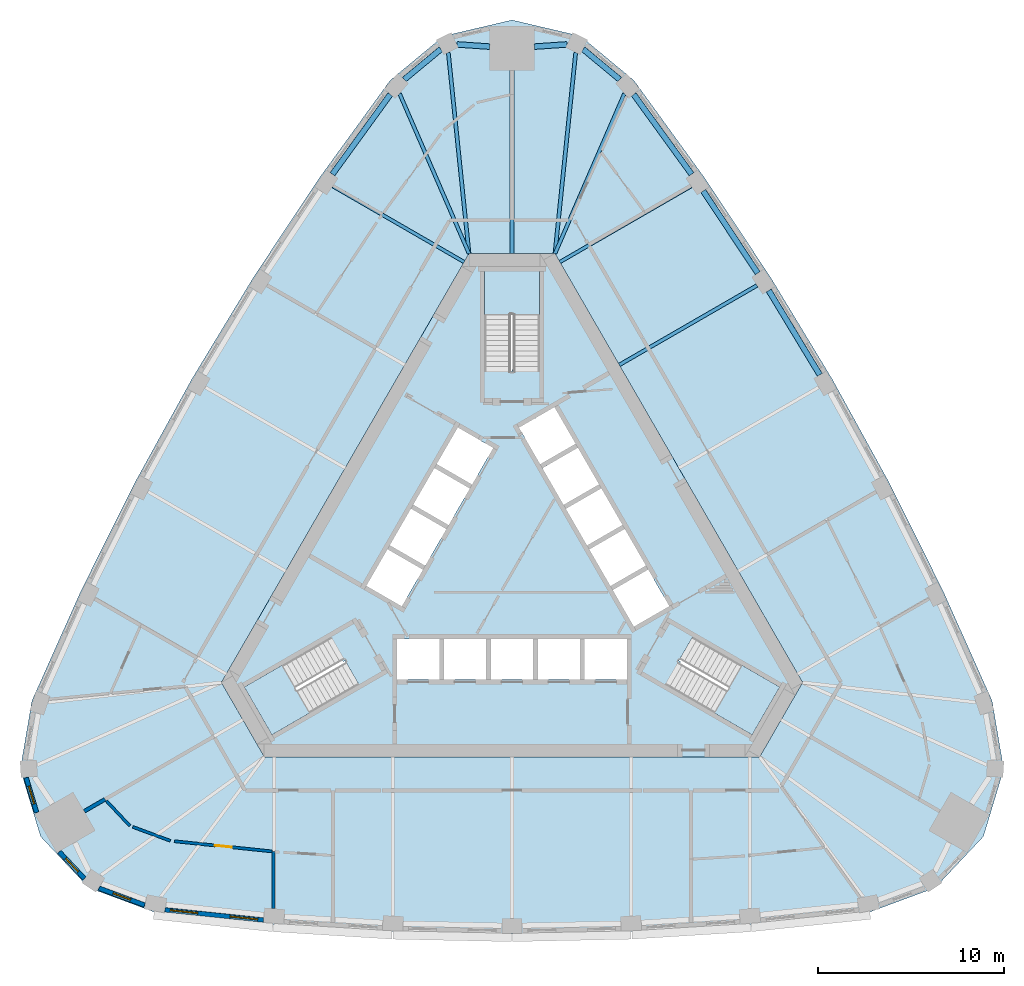
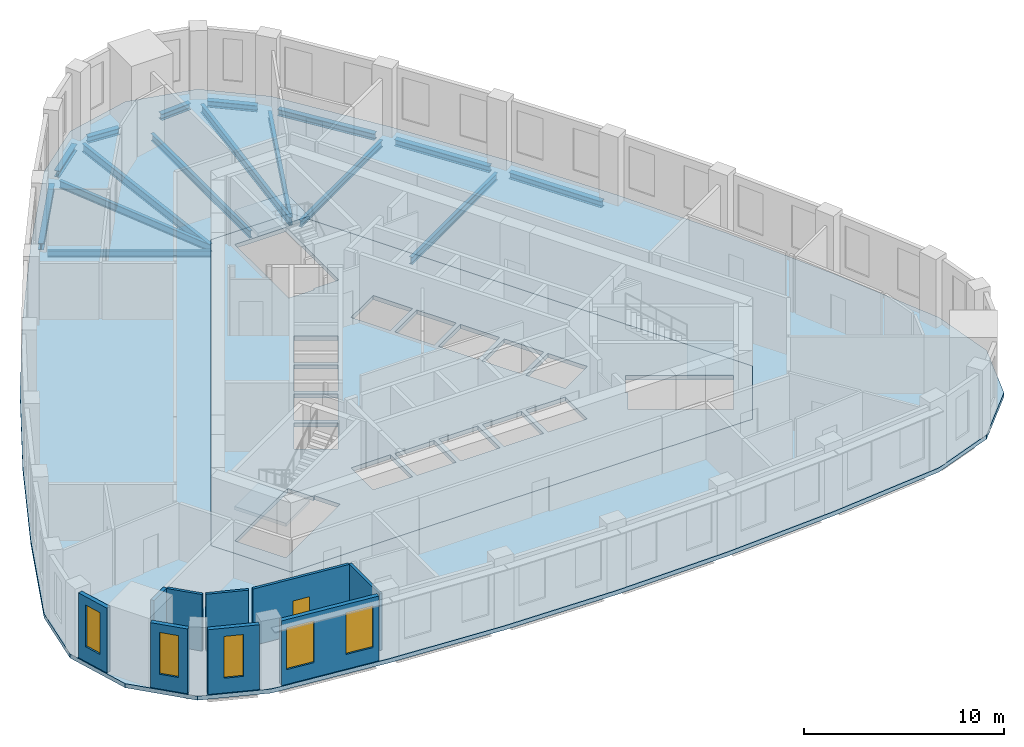
# One storey, part 2 of 10: 16 beams, 9 walls, 5 slabs, 5 windows, 1 door, 6 openings, 3 elements without a shape of their own.
"""IFC4 building model written with IfcOpenShell, lengths in metres."""

from ifc_helpers import new_model, si_unit, direction, frame, frame_2d, origin, origin_2d, place, context, subcontext, project, spatial, polyline, rectangle, i_section, outline, extrude, material, layer, layer_set, material_profile, profile_set, type_object, element, fill, aggregate, save


model = new_model("IFC4")

# Units and contexts
model_context = context("Model", 3, precision=1e-05, world=origin(), true_north=direction((0.0, 1.0)))
body_context = subcontext(model_context, "Body", "Model", "MODEL_VIEW")
ifc_project = project(units=[si_unit("LENGTHUNIT", "METRE"), si_unit("AREAUNIT", "SQUARE_METRE"), si_unit("VOLUMEUNIT", "CUBIC_METRE"), si_unit("PLANEANGLEUNIT", "RADIAN"), si_unit("MASSUNIT", "GRAM", prefix="KILO")], contexts=[model_context])

# Site, building, storey
site_placement = place(None, origin())
site = spatial("IfcSite", under=ifc_project, at=site_placement, CompositionType="ELEMENT")
building_placement = place(site_placement, origin())
building = spatial("IfcBuilding", under=site, at=building_placement, Name="Mestral Congress Tower", CompositionType="ELEMENT")
storey_placement = place(building_placement, frame((0.0, 0.0, 243.60009765625)))
storey = spatial("IfcBuildingStorey", under=building, at=storey_placement, Name="L57", CompositionType="ELEMENT", Elevation=243.60009765625)

# Beams
ifc_material_1 = material(Name="Steel S355", Category="steel")
ifc_material_profile_1 = material_profile(ifc_material_1, i_section(OverallWidth=0.179931640625, OverallDepth=0.39990234375, WebThickness=0.008544921875, FlangeThickness=0.013427734375, FilletRadius=0.02099609375, at=origin_2d()), Name="IPE 400")
ifc_profile_set_1 = profile_set([ifc_material_profile_1], Name="Steel S355")
beam_type_1 = type_object("IfcBeamType", Name="Floor beam IPE 400 S355", PredefinedType="BEAM", material=ifc_profile_set_1)
for number, where, z_axis, x_axis, name in (
    (1, (9.627197265625, 20.321533203125, -0.4501953125), (-0.86601443812, -0.500018992608, 0.0), (0.500018992608, -0.86601443812, 0.0), "BM-L57-RB4-E05"),
    (2, (-9.627197265625, 20.321533203125, -0.4501953125), (0.86601443812, -0.500018992608, 0.0), (0.500018992608, 0.86601443812, 0.0), "BM-L57-RB4-W01"),
):
    element("IfcBeam", number, at=place(storey_placement, frame(where, z_axis=z_axis, x_axis=x_axis)), inside=storey, type_object=beam_type_1, Name=name, PredefinedType="BEAM", context=body_context, shape_type="SweptSolid", body=[
        extrude(i_section(OverallWidth=0.179931640625, OverallDepth=0.39990234375, WebThickness=0.008544921875, FlangeThickness=0.013427734375, FilletRadius=0.02099609375, at=origin_2d()), origin(), (0.0, 0.0, 1.0), 8.148193359375),
    ])
ifc_material_profile_2 = material_profile(ifc_material_1, i_section(OverallWidth=0.18994140625, OverallDepth=0.449951171875, WebThickness=0.009521484375, FlangeThickness=0.0146484375, FilletRadius=0.02099609375, at=origin_2d()), Name="IPE 450")
ifc_profile_set_2 = profile_set([ifc_material_profile_2], Name="Steel S355")
beam_type_2 = type_object("IfcBeamType", Name="Floor beam IPE 450 S355", PredefinedType="BEAM", material=ifc_profile_set_2)
beam_1_placement = place(storey_placement, frame((13.16650390625, 14.98974609375, -0.47509765625), z_axis=(-0.866028621479, -0.499994426748, 0.0), x_axis=(0.499994426748, -0.866028621479, 0.0)))
element("IfcBeam", 3, at=beam_1_placement, inside=storey, type_object=beam_type_2, Name="BM-L57-RB4-E04", PredefinedType="BEAM", context=body_context, shape_type="SweptSolid", body=[
    extrude(i_section(OverallWidth=0.18994140625, OverallDepth=0.449951171875, WebThickness=0.009521484375, FlangeThickness=0.0146484375, FilletRadius=0.02099609375, at=origin_2d()), origin(), (0.0, 0.0, 1.0), 8.54736328125),
])
beam_2_placement = place(storey_placement, frame((6.0419921875, 25.296875, -0.47509765625), z_axis=(-0.398265997009, -0.91726996878, 0.0), x_axis=(0.91726996878, -0.398265997009, 0.0)))
element("IfcBeam", 4, at=beam_2_placement, inside=storey, type_object=beam_type_2, Name="BM-L57-RB4-E06", PredefinedType="BEAM", context=body_context, shape_type="SweptSolid", body=[
    extrude(i_section(OverallWidth=0.18994140625, OverallDepth=0.449951171875, WebThickness=0.009521484375, FlangeThickness=0.0146484375, FilletRadius=0.02099609375, at=origin_2d()), origin(), (0.0, 0.0, 1.0), 9.372314453125),
])
beam_3_placement = place(storey_placement, frame((0.0, 26.54443359375, -0.47509765625), z_axis=(0.0, -1.0, 0.0), x_axis=(1.0, 0.0, 0.0)))
element("IfcBeam", 5, at=beam_3_placement, inside=storey, type_object=beam_type_2, Name="BM-L57-RB4-N", PredefinedType="BEAM", context=body_context, shape_type="SweptSolid", body=[
    extrude(i_section(OverallWidth=0.18994140625, OverallDepth=0.449951171875, WebThickness=0.009521484375, FlangeThickness=0.0146484375, FilletRadius=0.02099609375, at=origin_2d()), origin(), (0.0, 0.0, 1.0), 9.844482421875),
])
beam_4_placement = place(storey_placement, frame((-6.0419921875, 25.296875, -0.47509765625), z_axis=(0.398265997009, -0.91726996878, 0.0), x_axis=(0.91726996878, 0.398265997009, 0.0)))
element("IfcBeam", 6, at=beam_4_placement, inside=storey, type_object=beam_type_2, Name="BM-L57-RB4-W00", PredefinedType="BEAM", context=body_context, shape_type="SweptSolid", body=[
    extrude(i_section(OverallWidth=0.18994140625, OverallDepth=0.449951171875, WebThickness=0.009521484375, FlangeThickness=0.0146484375, FilletRadius=0.02099609375, at=origin_2d()), origin(), (0.0, 0.0, 1.0), 9.372314453125),
])
ifc_material_profile_3 = material_profile(ifc_material_1, i_section(OverallWidth=0.199951171875, OverallDepth=0.5, WebThickness=0.01025390625, FlangeThickness=0.01611328125, FilletRadius=0.02099609375, at=origin_2d()), Name="IPE 500")
ifc_profile_set_3 = profile_set([ifc_material_profile_3], Name="Steel S355")
beam_type_3 = type_object("IfcBeamType", Name="Floor beam IPE 500 S355", PredefinedType="BEAM", material=ifc_profile_set_3)
for number, where, z_axis, x_axis, name in (
    (7, (3.4228515625, 27.5009765625, -0.5), (-0.102550876252, -0.994727760636, 0.0), (0.994727760636, -0.102550876252, 0.0), "BM-L57-RB4-N1"),
    (8, (-3.4228515625, 27.5009765625, -0.5), (0.102550876252, -0.994727760636, 0.0), (0.994727760636, 0.102550876252, 0.0), "BM-L57-RB4-N3"),
):
    element("IfcBeam", number, at=place(storey_placement, frame(where, z_axis=z_axis, x_axis=x_axis)), inside=storey, type_object=beam_type_3, Name=name, PredefinedType="BEAM", context=body_context, shape_type="SweptSolid", body=[
        extrude(i_section(OverallWidth=0.199951171875, OverallDepth=0.5, WebThickness=0.01025390625, FlangeThickness=0.01611328125, FilletRadius=0.02099609375, at=origin_2d()), origin(), (0.0, 0.0, 1.0), 10.858154296875),
    ])
ifc_material_profile_4 = material_profile(ifc_material_1, i_section(OverallWidth=0.300048828125, OverallDepth=0.389892578125, WebThickness=0.010986328125, FlangeThickness=0.01904296875, FilletRadius=0.027099609375, at=origin_2d()), Name="HEA 400")
ifc_profile_set_4 = profile_set([ifc_material_profile_4], Name="Steel S355")
beam_type_4 = type_object("IfcBeamType", Name="Spandrel beam HEA 400 S355", PredefinedType="BEAM", material=ifc_profile_set_4)
for number, where, z_axis, x_axis, name in (
    (9, (16.54248046875, 10.185791015625, -0.445068359375), (-0.517865676042, 0.855461946306, 0.0), (-0.855461946306, -0.517865676042, 0.0), "SP-L57-SB4-E03"),
    (10, (13.209228515625, 15.648193359375, -0.445068359375), (-0.552934106774, 0.833224983762, 0.0), (-0.833224983762, -0.552934106774, 0.0), "SP-L57-SB4-E04"),
):
    element("IfcBeam", number, at=place(storey_placement, frame(where, z_axis=z_axis, x_axis=x_axis)), inside=storey, type_object=beam_type_4, Name=name, PredefinedType="BEAM", context=body_context, shape_type="SweptSolid", body=[
        extrude(i_section(OverallWidth=0.300048828125, OverallDepth=0.389892578125, WebThickness=0.010986328125, FlangeThickness=0.01904296875, FilletRadius=0.027099609375, at=origin_2d()), origin(), (0.0, 0.0, 1.0), 5.29931640625),
    ])
beam_5_placement = place(storey_placement, frame((9.652099609375, 20.967529296875, -0.445068359375), z_axis=(-0.587017415163, 0.809574304369, 0.0), x_axis=(-0.809574304369, -0.587017415163, 0.0)))
element("IfcBeam", 11, at=beam_5_placement, inside=storey, type_object=beam_type_4, Name="SP-L57-SB4-E05", PredefinedType="BEAM", context=body_context, shape_type="SweptSolid", body=[
    extrude(i_section(OverallWidth=0.300048828125, OverallDepth=0.389892578125, WebThickness=0.010986328125, FlangeThickness=0.01904296875, FilletRadius=0.027099609375, at=origin_2d()), origin(), (0.0, 0.0, 1.0), 5.29736328125),
])
beam_6_placement = place(storey_placement, frame((5.789306640625, 26.058837890625, -0.445068359375), z_axis=(-0.769970431757, 0.638079567311, 0.0), x_axis=(-0.638079567311, -0.769970431757, 0.0)))
element("IfcBeam", 12, at=beam_6_placement, inside=storey, type_object=beam_type_4, Name="SP-L57-SB4-E06", PredefinedType="BEAM", context=body_context, shape_type="SweptSolid", body=[
    extrude(i_section(OverallWidth=0.300048828125, OverallDepth=0.389892578125, WebThickness=0.010986328125, FlangeThickness=0.01904296875, FilletRadius=0.027099609375, at=origin_2d()), origin(), (0.0, 0.0, 1.0), 2.547119140625),
])
for number, where, z_axis, x_axis, name in (
    (13, (2.9521484375, 27.94384765625, -0.445068359375), (-0.997724466462, -0.067423208337, 0.0), (0.067423208337, -0.997724466462, 0.0), "SP-L57-SB4-N1"),
    (14, (-1.199951171875, 27.825439453125, -0.445068359375), (-0.997724466462, 0.067423208337, 0.0), (-0.067423208337, -0.997724466462, 0.0), "SP-L57-SB4-N"),
):
    element("IfcBeam", number, at=place(storey_placement, frame(where, z_axis=z_axis, x_axis=x_axis)), inside=storey, type_object=beam_type_4, Name=name, PredefinedType="BEAM", context=body_context, shape_type="SweptSolid", body=[
        extrude(i_section(OverallWidth=0.300048828125, OverallDepth=0.389892578125, WebThickness=0.010986328125, FlangeThickness=0.01904296875, FilletRadius=0.027099609375, at=origin_2d()), origin(), (0.0, 0.0, 1.0), 1.756103515625),
    ])
beam_7_placement = place(storey_placement, frame((-3.828125, 27.68408203125, -0.445068359375), z_axis=(-0.769970431757, -0.638079567311, 0.0), x_axis=(0.638079567311, -0.769970431757, 0.0)))
element("IfcBeam", 15, at=beam_7_placement, inside=storey, type_object=beam_type_4, Name="SP-L57-SB4-N3", PredefinedType="BEAM", context=body_context, shape_type="SweptSolid", body=[
    extrude(i_section(OverallWidth=0.300048828125, OverallDepth=0.389892578125, WebThickness=0.010986328125, FlangeThickness=0.01904296875, FilletRadius=0.027099609375, at=origin_2d()), origin(), (0.0, 0.0, 1.0), 2.547119140625),
])
beam_8_placement = place(storey_placement, frame((-6.54248046875, 25.256103515625, -0.445068359375), z_axis=(-0.587017415163, -0.809574304369, 0.0), x_axis=(0.809574304369, -0.587017415163, 0.0)))
element("IfcBeam", 16, at=beam_8_placement, inside=storey, type_object=beam_type_4, Name="SP-L57-SB4-W00", PredefinedType="BEAM", context=body_context, shape_type="SweptSolid", body=[
    extrude(i_section(OverallWidth=0.300048828125, OverallDepth=0.389892578125, WebThickness=0.010986328125, FlangeThickness=0.01904296875, FilletRadius=0.027099609375, at=origin_2d()), origin(), (0.0, 0.0, 1.0), 5.29736328125),
])

# Slabs
ifc_material_2 = material(Name="Concrete C35/45", Category="concrete")
ifc_layer_1 = layer(ifc_material_2, 0.25)
ifc_layer_set_1 = layer_set([ifc_layer_1], Name="Concrete C35/45")
slab_type_1 = type_object("IfcSlabType", Name="Composite floor slab 250", PredefinedType="FLOOR", material=ifc_layer_set_1)
placement_1 = place(storey_placement, frame((0.0, 0.0, -0.25)))
element("IfcSlab", 17, at=placement_1, inside=storey, type_object=slab_type_1, Name="SL-L57", PredefinedType="FLOOR", context=body_context, shape_type="SweptSolid", body=[
    extrude(outline(polyline([(-19.253662109375, -18.678466796875), (-22.75, -17.381591796875), (-25.3369140625, -14.62841796875), (-26.427978515625, -11.01123046875), (-25.802978515625, -7.334716796875), (-23.16748046875, -1.4306640625), (-20.310302734375, 4.316650390625), (-17.21728515625, 9.9404296875), (-13.8935546875, 15.430908203125), (-10.3447265625, 20.77880859375), (-6.54931640625, 26.013427734375), (-3.677978515625, 28.392822265625), (0.0, 29.256591796875), (3.677978515625, 28.392822265625), (6.54931640625, 26.013427734375), (10.3447265625, 20.77880859375), (13.8935546875, 15.430908203125), (17.21728515625, 9.9404296875), (20.310302734375, 4.316650390625), (23.16748046875, -1.4306640625), (25.802978515625, -7.334716796875), (26.427978515625, -11.01123046875), (25.3369140625, -14.62841796875), (22.75, -17.381591796875), (19.253662109375, -18.678466796875), (12.822509765625, -19.34814453125), (6.416748046875, -19.74755859375), (0.0, -19.880615234375), (-6.416748046875, -19.74755859375), (-12.822509765625, -19.34814453125), (-19.253662109375, -18.678466796875)]), holes=[polyline([(-2.309326171875, 16.699951171875), (-15.6171875, -6.35009765625), (-13.307861328125, -10.35009765625), (13.307861328125, -10.35009765625), (15.6171875, -6.35009765625), (2.309326171875, 16.699951171875), (-2.309326171875, 16.699951171875)])]), origin(), (0.0, 0.0, 1.0), 0.25),
])
ifc_material_3 = material(Name="Concrete C60/75", Category="concrete")
ifc_layer_2 = layer(ifc_material_3, 0.25)
ifc_layer_set_2 = layer_set([ifc_layer_2], Name="Concrete C60/75")
slab_type_2 = type_object("IfcSlabType", Name="Core floor slab RC 250", PredefinedType="FLOOR", material=ifc_layer_set_2)
element("IfcSlab", 18, at=placement_1, inside=storey, type_object=slab_type_2, Name="L57 core floor", PredefinedType="FLOOR", context=body_context, shape_type="SweptSolid", body=[
    extrude(outline(polyline([(13.307861328125, -10.35009765625), (-13.307861328125, -10.35009765625), (-15.6171875, -6.35009765625), (-2.309326171875, 16.699951171875), (2.309326171875, 16.699951171875), (15.6171875, -6.35009765625), (13.307861328125, -10.35009765625)]), holes=[polyline([(-9.8046875, -3.95751953125), (-14.37744140625, -6.59765625), (-12.90234375, -9.15234375), (-8.234619140625, -6.45751953125), (-8.971923828125, -5.179931640625), (-9.0673828125, -5.235107421875), (-9.8046875, -3.95751953125)]), polyline([(-3.905029296875, -4.0), (-6.175048828125, -4.0), (-6.175048828125, -6.199951171875), (-3.905029296875, -6.199951171875), (-3.905029296875, -4.0)]), polyline([(-1.385009765625, -4.0), (-3.655029296875, -4.0), (-3.655029296875, -6.199951171875), (-1.385009765625, -6.199951171875), (-1.385009765625, -4.0)]), polyline([(1.135009765625, -4.0), (-1.135009765625, -4.0), (-1.135009765625, -6.199951171875), (1.135009765625, -6.199951171875), (1.135009765625, -4.0)]), polyline([(-5.921630859375, -2.256591796875), (-4.78662109375, -0.29052734375), (-6.69189453125, 0.809326171875), (-7.826904296875, -1.156494140625), (-5.921630859375, -2.256591796875)]), polyline([(-4.66162109375, -0.07421875), (-3.526611328125, 1.8916015625), (-5.431884765625, 2.99169921875), (-6.56689453125, 1.02587890625), (-4.66162109375, -0.07421875)]), polyline([(-3.401611328125, 2.1083984375), (-2.2666015625, 4.07421875), (-4.171875, 5.174072265625), (-5.306884765625, 3.208251953125), (-3.401611328125, 2.1083984375)]), polyline([(-2.1416015625, 4.29052734375), (-1.006591796875, 6.256591796875), (-2.911865234375, 7.3564453125), (-4.046875, 5.390625), (-2.1416015625, 4.29052734375)]), polyline([(1.47509765625, 10.469970703125), (1.47509765625, 15.75), (-1.47509765625, 15.75), (-1.47509765625, 10.360107421875), (0.0, 10.360107421875), (0.0, 10.469970703125), (1.47509765625, 10.469970703125)]), polyline([(8.329833984375, -6.512451171875), (12.90234375, -9.15234375), (14.37744140625, -6.59765625), (9.70947265625, -3.902587890625), (8.971923828125, -5.179931640625), (9.0673828125, -5.235107421875), (8.329833984375, -6.512451171875)]), polyline([(3.655029296875, -4.0), (1.385009765625, -4.0), (1.385009765625, -6.199951171875), (3.655029296875, -6.199951171875), (3.655029296875, -4.0)]), polyline([(6.175048828125, -4.0), (3.905029296875, -4.0), (3.905029296875, -6.199951171875), (6.175048828125, -6.199951171875), (6.175048828125, -4.0)]), polyline([(5.41650390625, -1.3818359375), (6.551513671875, -3.34765625), (8.456787109375, -2.247802734375), (7.322021484375, -0.28173828125), (5.41650390625, -1.3818359375)]), polyline([(4.156494140625, 0.800537109375), (5.29150390625, -1.165283203125), (7.197021484375, -0.065185546875), (6.06201171875, 1.900634765625), (4.156494140625, 0.800537109375)]), polyline([(2.896484375, 2.98291015625), (4.031494140625, 1.01708984375), (5.93701171875, 2.1171875), (4.802001953125, 4.0830078125), (2.896484375, 2.98291015625)]), polyline([(3.5419921875, 6.265380859375), (1.63671875, 5.165283203125), (2.771484375, 3.199462890625), (4.677001953125, 4.29931640625), (3.5419921875, 6.265380859375)]), polyline([(2.281982421875, 8.44775390625), (0.376708984375, 7.34765625), (1.51171875, 5.3818359375), (3.4169921875, 6.481689453125), (2.281982421875, 8.44775390625)])]), origin(), (0.0, 0.0, 1.0), 0.25),
])

# Stair, slab
stair_type = type_object("IfcStairType", Name="Exit stair 1400", PredefinedType="HALF_TURN_STAIR", material=ifc_material_3)
placement_2 = place(storey_placement, origin())
stair_1 = element("IfcStair", 19, at=placement_2, inside=storey, type_object=stair_type, Name="L57 ST1", PredefinedType="HALF_TURN_STAIR")
ifc_layer_3 = layer(ifc_material_3, 0.199951171875)
ifc_layer_set_3 = layer_set([ifc_layer_3], Name="Concrete C60/75")
slab_type_3 = type_object("IfcSlabType", Name="Exit stair landing 200", PredefinedType="LANDING", material=ifc_layer_set_3)
placement_3 = place(storey_placement, frame((0.0, 0.0, 1.89990234375)))
slab_3 = element("IfcSlab", 20, at=placement_3, type_object=slab_type_3, Name="ST1 landing 1", PredefinedType="LANDING", context=body_context, shape_type="SweptSolid", body=[
    extrude(outline(polyline([(10.879638671875, -7.99609375), (12.364501953125, -5.424072265625), (14.39111328125, -6.593994140625), (12.906005859375, -9.166015625), (10.879638671875, -7.99609375)])), origin(), (0.0, 0.0, 1.0), 0.199951171875),
])
aggregate(stair_1, [slab_3])

stair_2 = element("IfcStair", 21, at=placement_2, inside=storey, type_object=stair_type, Name="L57 ST2", PredefinedType="HALF_TURN_STAIR")
slab_4 = element("IfcSlab", 22, at=placement_3, type_object=slab_type_3, Name="ST2 landing 1", PredefinedType="LANDING", context=body_context, shape_type="SweptSolid", body=[
    extrude(outline(polyline([(1.485107421875, 13.419921875), (-1.485107421875, 13.419921875), (-1.485107421875, 15.760009765625), (1.485107421875, 15.760009765625), (1.485107421875, 13.419921875)])), origin(), (0.0, 0.0, 1.0), 0.199951171875),
])
aggregate(stair_2, [slab_4])

stair_3 = element("IfcStair", 23, at=placement_2, inside=storey, type_object=stair_type, Name="L57 ST3", PredefinedType="HALF_TURN_STAIR")
slab_5 = element("IfcSlab", 24, at=placement_3, type_object=slab_type_3, Name="ST3 landing 1", PredefinedType="LANDING", context=body_context, shape_type="SweptSolid", body=[
    extrude(outline(polyline([(-12.364501953125, -5.424072265625), (-10.879638671875, -7.99609375), (-12.906005859375, -9.166015625), (-14.39111328125, -6.593994140625), (-12.364501953125, -5.424072265625)])), origin(), (0.0, 0.0, 1.0), 0.199951171875),
])
aggregate(stair_3, [slab_5])

# Wall, openings, windows
ifc_material_4 = material(Name="Precast concrete C40/50 with limestone facing", Category="masonry")
ifc_layer_4 = layer(ifc_material_4, 0.239990234375)
ifc_layer_set_4 = layer_set([ifc_layer_4], Name="Precast concrete C40/50 with limestone facing")
wall_type_1 = type_object("IfcWallType", Name="Facade stone wall 240", PredefinedType="SOLIDWALL", material=ifc_layer_set_4)
wall_1_placement = place(storey_placement, frame((-18.644287109375, -18.571044921875, 0.0), z_axis=(0.0, 0.0, 1.0), x_axis=(0.994621961215, -0.103571976272, 0.0)))
wall_1 = element("IfcWall", 25, at=wall_1_placement, inside=storey, type_object=wall_type_1, Name="Facade wall F0-00", PredefinedType="SOLIDWALL", context=body_context, shape_type="SweptSolid", body=[
    extrude(rectangle(XDim=5.310791015625, YDim=0.239990234375, at=frame_2d((2.6552734375, 0.0))), origin(), (0.0, 0.0, 1.0), 3.949951171875),
])
opening_1_placement = place(wall_1_placement, frame((0.271484375, 0.0, 0.89990234375)))
opening_1 = element("IfcOpeningElement", 26, at=opening_1_placement, cuts=wall_1, Name="Opening W4", PredefinedType="OPENING", context=body_context, shape_type="SweptSolid", body=[
    extrude(rectangle(XDim=1.5, YDim=2.550048828125, at=frame_2d((0.75, 1.27490234375))), frame((0.0, 0.1298828125, 0.0), z_axis=(0.0, -1.0, 0.0), x_axis=(1.0, 0.0, 0.0)), (0.0, 0.0, 1.0), 0.260009765625),
])
opening_2_placement = place(wall_1_placement, frame((3.50439453125, 0.0, 0.89990234375)))
opening_2 = element("IfcOpeningElement", 27, at=opening_2_placement, cuts=wall_1, Name="Opening W4", PredefinedType="OPENING", context=body_context, shape_type="SweptSolid", body=[
    extrude(rectangle(XDim=1.5, YDim=2.550048828125, at=frame_2d((0.75, 1.27490234375))), frame((0.0, 0.1298828125, 0.0), z_axis=(0.0, -1.0, 0.0), x_axis=(1.0, 0.0, 0.0)), (0.0, 0.0, 1.0), 0.260009765625),
])
ifc_material_5 = material(Name="Clear low-emissivity double glazing", Category="glass")
window_type_1 = type_object("IfcWindowType", Name="Facade punched window 1500 x 2550 sill 900", PartitioningType="SINGLE_PANEL", PredefinedType="WINDOW", material=ifc_material_5)
window_1_placement = place(opening_1_placement, origin())
window_1 = element("IfcWindow", 28, at=window_1_placement, inside=storey, type_object=window_type_1, Name="Window F0-00a", OverallHeight=2.550048828125, OverallWidth=1.5, PartitioningType="SINGLE_PANEL", PredefinedType="WINDOW", context=body_context, shape_type="SweptSolid", body=[
    extrude(rectangle(XDim=1.5, YDim=2.550048828125, at=frame_2d((0.75, 1.27490234375))), frame((0.0, 0.0400390625, 0.0), z_axis=(0.0, -1.0, 0.0), x_axis=(1.0, 0.0, 0.0)), (0.0, 0.0, 1.0), 0.06005859375),
])
fill(opening_1, window_1)
window_2_placement = place(opening_2_placement, origin())
window_2 = element("IfcWindow", 29, at=window_2_placement, inside=storey, type_object=window_type_1, Name="Window F0-00b", OverallHeight=2.550048828125, OverallWidth=1.5, PartitioningType="SINGLE_PANEL", PredefinedType="WINDOW", context=body_context, shape_type="SweptSolid", body=[
    extrude(rectangle(XDim=1.5, YDim=2.550048828125, at=frame_2d((0.75, 1.27490234375))), frame((0.0, 0.0400390625, 0.0), z_axis=(0.0, -1.0, 0.0), x_axis=(1.0, 0.0, 0.0)), (0.0, 0.0, 1.0), 0.06005859375),
])
fill(opening_2, window_2)

# Wall, opening, window
wall_2_placement = place(storey_placement, frame((-26.1123046875, -11.469482421875, 0.0), z_axis=(0.0, 0.0, 1.0), x_axis=(0.288727209095, -0.957411405159, 0.0)))
wall_2 = element("IfcWall", 30, at=wall_2_placement, inside=storey, type_object=wall_type_1, Name="Facade wall K2-1", PredefinedType="SOLIDWALL", context=body_context, shape_type="SweptSolid", body=[
    extrude(rectangle(XDim=1.9482421875, YDim=0.239990234375, at=frame_2d((0.97412109375, 0.0))), origin(), (0.0, 0.0, 1.0), 3.949951171875),
])
opening_3_placement = place(wall_2_placement, frame((0.47412109375, 0.0, 0.89990234375)))
opening_3 = element("IfcOpeningElement", 31, at=opening_3_placement, cuts=wall_2, Name="Opening W5", PredefinedType="OPENING", context=body_context, shape_type="SweptSolid", body=[
    extrude(rectangle(XDim=1.0, YDim=2.550048828125, at=frame_2d((0.5, 1.27490234375))), frame((0.0, 0.1298828125, 0.0), z_axis=(0.0, -1.0, 0.0), x_axis=(1.0, 0.0, 0.0)), (0.0, 0.0, 1.0), 0.260009765625),
])
window_type_2 = type_object("IfcWindowType", Name="Facade punched window 1000 x 2550 sill 900", PartitioningType="SINGLE_PANEL", PredefinedType="WINDOW", material=ifc_material_5)
window_3_placement = place(opening_3_placement, origin())
window_3 = element("IfcWindow", 32, at=window_3_placement, inside=storey, type_object=window_type_2, Name="Window K2-1", OverallHeight=2.550048828125, OverallWidth=1.0, PartitioningType="SINGLE_PANEL", PredefinedType="WINDOW", context=body_context, shape_type="SweptSolid", body=[
    extrude(rectangle(XDim=1.0, YDim=2.550048828125, at=frame_2d((0.5, 1.27490234375))), frame((0.0, 0.0400390625, 0.0), z_axis=(0.0, -1.0, 0.0), x_axis=(1.0, 0.0, 0.0)), (0.0, 0.0, 1.0), 0.06005859375),
])
fill(opening_3, window_3)

wall_3_placement = place(storey_placement, frame((-24.322998046875, -15.459228515625, 0.0), z_axis=(0.0, 0.0, 1.0), x_axis=(0.684770274166, -0.728758994194, 0.0)))
wall_3 = element("IfcWall", 33, at=wall_3_placement, inside=storey, type_object=wall_type_1, Name="Facade wall K2-2", PredefinedType="SOLIDWALL", context=body_context, shape_type="SweptSolid", body=[
    extrude(rectangle(XDim=1.947998046875, YDim=0.239990234375, at=frame_2d((0.97412109375, 0.0))), origin(), (0.0, 0.0, 1.0), 3.949951171875),
])
opening_4_placement = place(wall_3_placement, frame((0.47412109375, 0.0, 0.89990234375)))
opening_4 = element("IfcOpeningElement", 34, at=opening_4_placement, cuts=wall_3, Name="Opening W5", PredefinedType="OPENING", context=body_context, shape_type="SweptSolid", body=[
    extrude(rectangle(XDim=1.0, YDim=2.550048828125, at=frame_2d((0.5, 1.27490234375))), frame((0.0, 0.1298828125, 0.0), z_axis=(0.0, -1.0, 0.0), x_axis=(1.0, 0.0, 0.0)), (0.0, 0.0, 1.0), 0.260009765625),
])
window_4_placement = place(opening_4_placement, origin())
window_4 = element("IfcWindow", 35, at=window_4_placement, inside=storey, type_object=window_type_2, Name="Window K2-2", OverallHeight=2.550048828125, OverallWidth=1.0, PartitioningType="SINGLE_PANEL", PredefinedType="WINDOW", context=body_context, shape_type="SweptSolid", body=[
    extrude(rectangle(XDim=1.0, YDim=2.550048828125, at=frame_2d((0.5, 1.27490234375))), frame((0.0, 0.0400390625, 0.0), z_axis=(0.0, -1.0, 0.0), x_axis=(1.0, 0.0, 0.0)), (0.0, 0.0, 1.0), 0.06005859375),
])
fill(opening_4, window_4)

wall_4_placement = place(storey_placement, frame((-22.194091796875, -17.406494140625, 0.0), z_axis=(0.0, 0.0, 1.0), x_axis=(0.937569171184, -0.347798863203, 0.0)))
wall_4 = element("IfcWall", 36, at=wall_4_placement, inside=storey, type_object=wall_type_1, Name="Facade wall K2-3", PredefinedType="SOLIDWALL", context=body_context, shape_type="SweptSolid", body=[
    extrude(rectangle(XDim=2.609130859375, YDim=0.239990234375, at=frame_2d((1.3046875, 0.0))), origin(), (0.0, 0.0, 1.0), 3.949951171875),
])
opening_5_placement = place(wall_4_placement, frame((0.8046875, 0.0, 0.89990234375)))
opening_5 = element("IfcOpeningElement", 37, at=opening_5_placement, cuts=wall_4, Name="Opening W5", PredefinedType="OPENING", context=body_context, shape_type="SweptSolid", body=[
    extrude(rectangle(XDim=1.0, YDim=2.550048828125, at=frame_2d((0.5, 1.27490234375))), frame((0.0, 0.1298828125, 0.0), z_axis=(0.0, -1.0, 0.0), x_axis=(1.0, 0.0, 0.0)), (0.0, 0.0, 1.0), 0.260009765625),
])
window_5_placement = place(opening_5_placement, origin())
window_5 = element("IfcWindow", 38, at=window_5_placement, inside=storey, type_object=window_type_2, Name="Window K2-3", OverallHeight=2.550048828125, OverallWidth=1.0, PartitioningType="SINGLE_PANEL", PredefinedType="WINDOW", context=body_context, shape_type="SweptSolid", body=[
    extrude(rectangle(XDim=1.0, YDim=2.550048828125, at=frame_2d((0.5, 1.27490234375))), frame((0.0, 0.0400390625, 0.0), z_axis=(0.0, -1.0, 0.0), x_axis=(1.0, 0.0, 0.0)), (0.0, 0.0, 1.0), 0.06005859375),
])
fill(opening_5, window_5)

# Walls
ifc_material_6 = material(Name="Plasterboard partition on steel studs", Category="steel")
ifc_layer_5 = layer(ifc_material_6, 0.14990234375)
ifc_layer_set_5 = layer_set([ifc_layer_5], Name="Plasterboard partition on steel studs")
wall_type_2 = type_object("IfcWallType", Name="Office partition 150", PredefinedType="PARTITIONING", material=ifc_layer_set_5)
wall_5_placement = place(storey_placement, frame((-12.822509765625, -15.437255859375, 0.0), z_axis=(0.0, 0.0, 1.0), x_axis=(0.0, -1.0, 0.0)))
element("IfcWall", 39, at=wall_5_placement, inside=storey, type_object=wall_type_2, Name="Partition", PredefinedType="PARTITIONING", context=body_context, shape_type="SweptSolid", body=[
    extrude(rectangle(XDim=3.057861328125, YDim=0.14990234375, at=frame_2d((1.52880859375, 0.0))), origin(), (0.0, 0.0, 1.0), 3.449951171875),
])
wall_6_placement = place(storey_placement, frame((-21.80615234375, -12.705322265625, 0.0), z_axis=(0.0, 0.0, 1.0), x_axis=(0.684700980092, -0.728824099396, 0.0)))
element("IfcWall", 40, at=wall_6_placement, inside=storey, type_object=wall_type_2, Name="Partition", PredefinedType="PARTITIONING", context=body_context, shape_type="SweptSolid", body=[
    extrude(rectangle(XDim=1.84814453125, YDim=0.14990234375, at=frame_2d((0.924072265625, 0.0))), origin(), (0.0, 0.0, 1.0), 3.449951171875),
])
wall_7_placement = place(storey_placement, frame((-20.3828125, -14.11083984375, 0.0), z_axis=(0.0, 0.0, 1.0), x_axis=(0.937598383102, -0.347720105838, 0.0)))
element("IfcWall", 41, at=wall_7_placement, inside=storey, type_object=wall_type_2, Name="Partition", PredefinedType="PARTITIONING", context=body_context, shape_type="SweptSolid", body=[
    extrude(rectangle(XDim=2.155517578125, YDim=0.14990234375, at=frame_2d((1.07763671875, 0.0))), origin(), (0.0, 0.0, 1.0), 3.449951171875),
])

# Wall, opening, door
wall_8_placement = place(storey_placement, frame((-12.897705078125, -15.429443359375, 0.0), z_axis=(0.0, 0.0, 1.0), x_axis=(-0.99462039429, 0.103587022653, 0.0)))
wall_8 = element("IfcWall", 42, at=wall_8_placement, inside=storey, type_object=wall_type_2, Name="Partition", PredefinedType="PARTITIONING", context=body_context, shape_type="SweptSolid", body=[
    extrude(rectangle(XDim=5.279296875, YDim=0.14990234375, at=frame_2d((2.6396484375, 0.0))), origin(), (0.0, 0.0, 1.0), 3.449951171875),
])
opening_6_placement = place(wall_8_placement, frame((2.179443359375, 0.0, 0.0)))
opening_6 = element("IfcOpeningElement", 43, at=opening_6_placement, cuts=wall_8, Name="Opening O09-019", PredefinedType="OPENING", context=body_context, shape_type="SweptSolid", body=[
    extrude(rectangle(XDim=0.89990234375, YDim=2.10009765625, at=frame_2d((0.449951171875, 1.050048828125))), frame((0.0, 0.0849609375, 0.0), z_axis=(0.0, -1.0, 0.0), x_axis=(1.0, 0.0, 0.0)), (0.0, 0.0, 1.0), 0.169921875),
])
ifc_material_7 = material(Name="Timber door set", Category="wood")
door_type = type_object("IfcDoorType", Name="Office door 900x2100", OperationType="SINGLE_SWING_LEFT", PredefinedType="DOOR", material=ifc_material_7)
door_placement = place(opening_6_placement, origin())
door = element("IfcDoor", 44, at=door_placement, inside=storey, type_object=door_type, Name="Door O09-019", OperationType="SINGLE_SWING_LEFT", OverallHeight=2.10009765625, OverallWidth=0.89990234375, PredefinedType="DOOR", context=body_context, shape_type="SweptSolid", body=[
    extrude(rectangle(XDim=0.89990234375, YDim=2.10009765625, at=frame_2d((0.449951171875, 1.050048828125))), frame((0.0, 0.02490234375, 0.0), z_axis=(0.0, -1.0, 0.0), x_axis=(1.0, 0.0, 0.0)), (0.0, 0.0, 1.0), 0.050048828125),
])
fill(opening_6, door)

# Wall
ifc_material_8 = material(Name="Dense masonry wall, plastered", Category="masonry")
ifc_layer_6 = layer(ifc_material_8, 0.199951171875)
ifc_layer_set_6 = layer_set([ifc_layer_6], Name="Dense masonry wall, plastered")
wall_type_3 = type_object("IfcWallType", Name="Office tenancy wall 200", PredefinedType="PARTITIONING", material=ifc_layer_set_6)
wall_9_placement = place(storey_placement, frame((-21.873046875, -12.62841796875, 0.0), z_axis=(0.0, 0.0, 1.0), x_axis=(-0.866052988967, -0.499952218018, 0.0)))
element("IfcWall", 45, at=wall_9_placement, inside=storey, type_object=wall_type_3, Name="Tenancy wall", PredefinedType="PARTITIONING", context=body_context, shape_type="SweptSolid", body=[
    extrude(rectangle(XDim=1.287841796875, YDim=0.199951171875, at=frame_2d((0.64404296875, 0.0))), origin(), (0.0, 0.0, 1.0), 3.449951171875),
])

save(model, "model.ifc")
